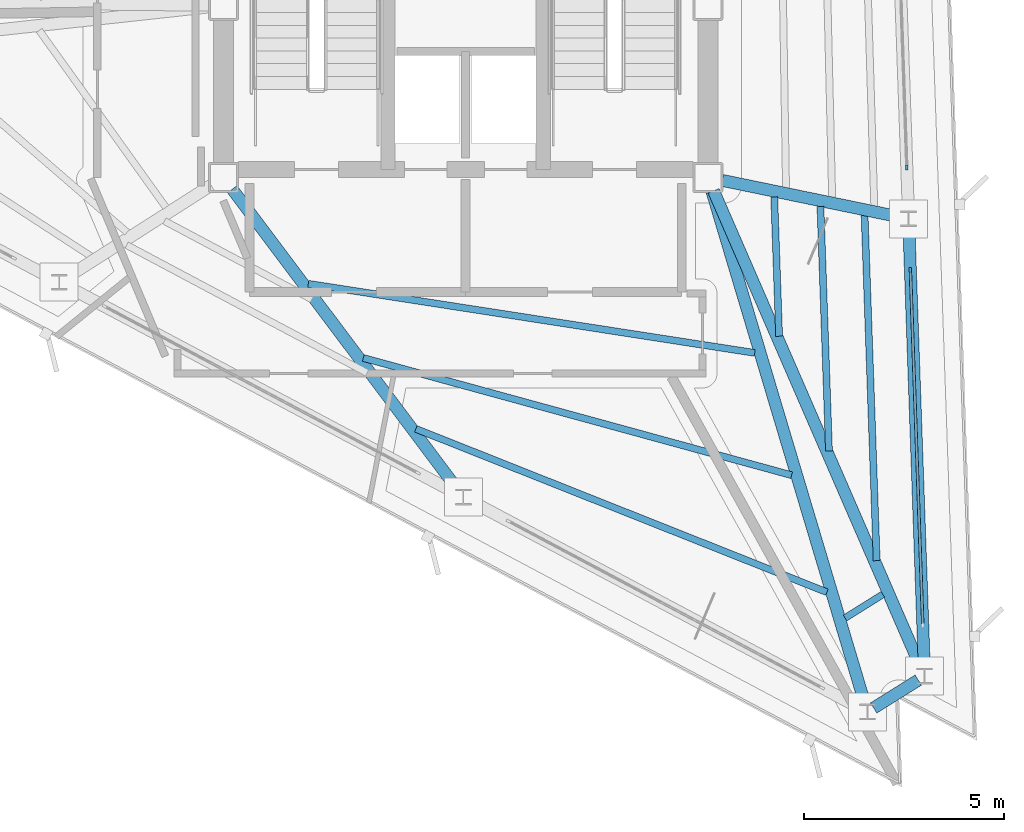
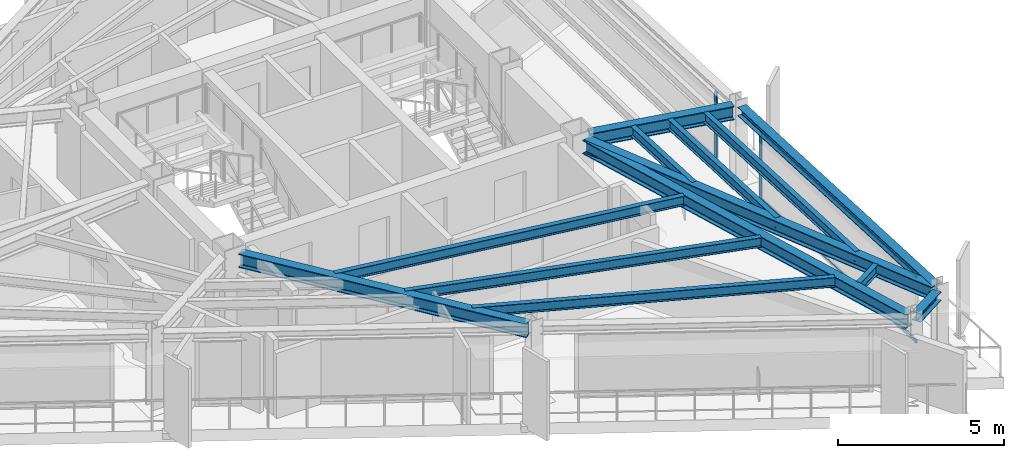
# One storey, part 3 of 13: 13 beams, 4 members, 2 elements without a shape of their own.
"""IFC4 building model written with IfcOpenShell, lengths in metres."""

from ifc_helpers import new_model, si_unit, direction, frame, origin, origin_2d, place, context, subcontext, project, spatial, rectangle, i_section, extrude, material, layer, layer_set, material_profile, profile_set, type_object, element, aggregate, save


model = new_model("IFC4")

# Units and contexts
model_context = context("Model", 3, precision=1e-05, world=origin(), true_north=direction((0.0, 1.0)))
body_context = subcontext(model_context, "Body", "Model", "MODEL_VIEW")
ifc_project = project(units=[si_unit("LENGTHUNIT", "METRE"), si_unit("AREAUNIT", "SQUARE_METRE"), si_unit("VOLUMEUNIT", "CUBIC_METRE"), si_unit("PLANEANGLEUNIT", "RADIAN"), si_unit("MASSUNIT", "GRAM", prefix="KILO")], contexts=[model_context])

# Site, building, storey
site_placement = place(None, origin())
site = spatial("IfcSite", under=ifc_project, at=site_placement, CompositionType="ELEMENT")
building_placement = place(site_placement, origin())
building = spatial("IfcBuilding", under=site, at=building_placement, Name="Rocaltana Carrier Exchange", CompositionType="ELEMENT")
storey_placement = place(building_placement, frame((0.0, 0.0, 193.60009765625)))
storey = spatial("IfcBuildingStorey", under=building, at=storey_placement, Name="L61", CompositionType="ELEMENT", Elevation=193.60009765625)

# Curtain wall, member
ifc_material_1 = material(Name="Aluminium 6063-T6", Category="aluminium")
ifc_layer = layer(ifc_material_1, 0.1201171875)
ifc_layer_set = layer_set([ifc_layer], Name="Aluminium 6063-T6")
curtain_wall_type = type_object("IfcCurtainWallType", Name="High-Altitude Thermal Curtain Wall CW-05", PredefinedType="NOTDEFINED", material=ifc_layer_set)
curtain_wall_1_placement = place(storey_placement, origin())
curtain_wall_1 = element("IfcCurtainWall", 1, at=curtain_wall_1_placement, inside=storey, type_object=curtain_wall_type, Name="L61 CW-05 Run CW-L61-F1S1", PredefinedType="NOTDEFINED")
ifc_material_2 = material(Name="Aluminium 6063-T6", Category="aluminium")
ifc_material_profile_1 = material_profile(ifc_material_2, rectangle(XDim=0.06005859375, YDim=0.1201171875, at=origin_2d()), Name="AL-60X120")
ifc_profile_set_1 = profile_set([ifc_material_profile_1], Name="Aluminium 6063-T6")
member_type_1 = type_object("IfcMemberType", Name="CW-05 Mullion AL-60X120", PredefinedType="MULLION", material=ifc_profile_set_1)
member_1_placement = place(storey_placement, frame((11.11181640625, -6.61279296875, 0.0), z_axis=(0.0, 0.0, 1.0), x_axis=(-0.999390315991, -0.034914127567, 0.0)))
member_1 = element("IfcMember", 2, at=member_1_placement, type_object=member_type_1, Name="CW-05 mullion 2", PredefinedType="MULLION", context=body_context, shape_type="SweptSolid", body=[
    extrude(rectangle(XDim=0.06005859375, YDim=0.1201171875, at=origin_2d()), origin(), (0.0, 0.0, 1.0), 2.447998046875),
])

curtain_wall_2_placement = place(storey_placement, origin())
curtain_wall_2 = element("IfcCurtainWall", 3, at=curtain_wall_2_placement, inside=storey, type_object=curtain_wall_type, Name="L61 CW-05 Run CW-L61-F1S2", PredefinedType="NOTDEFINED")
member_2_placement = place(storey_placement, frame((11.0224609375, -4.054443359375, 0.0), z_axis=(0.0, 0.0, 1.0), x_axis=(-0.999390720156, -0.034902556738, 0.0)))
member_2 = element("IfcMember", 4, at=member_2_placement, type_object=member_type_1, Name="CW-05 mullion 1", PredefinedType="MULLION", context=body_context, shape_type="SweptSolid", body=[
    extrude(rectangle(XDim=0.06005859375, YDim=0.1201171875, at=origin_2d()), origin(), (0.0, 0.0, 1.0), 2.447998046875),
])
aggregate(curtain_wall_2, [member_2])

# Member
ifc_material_3 = material(Name="Aluminium 6063-T6", Category="aluminium")
ifc_material_profile_2 = material_profile(ifc_material_3, rectangle(XDim=0.06005859375, YDim=0.1201171875, at=origin_2d()), Name="AL-60X120")
ifc_profile_set_2 = profile_set([ifc_material_profile_2], Name="Aluminium 6063-T6")
member_type_2 = type_object("IfcMemberType", Name="CW-05 Transom AL-60X120", PredefinedType="USERDEFINED", material=ifc_profile_set_2)
member_3_placement = place(storey_placement, frame((11.420654296875, -15.450927734375, 0.02978515625), z_axis=(-0.034930718371, 0.999389736246, 0.0), x_axis=(-0.999389736246, -0.034930718371, 0.0)))
member_3 = element("IfcMember", 5, at=member_3_placement, type_object=member_type_2, Name="CW-05 transom 1.1", ObjectType="TRANSOM", PredefinedType="USERDEFINED", context=body_context, shape_type="SweptSolid", body=[
    extrude(rectangle(XDim=0.06005859375, YDim=0.1201171875, at=origin_2d()), origin(), (0.0, 0.0, 1.0), 8.8134765625),
])

member_4_placement = place(storey_placement, frame((11.420654296875, -15.450927734375, 2.41796875), z_axis=(-0.034930718371, 0.999389736246, 0.0), x_axis=(-0.999389736246, -0.034930718371, 0.0)))
member_4 = element("IfcMember", 6, at=member_4_placement, type_object=member_type_2, Name="CW-05 transom 1.2", ObjectType="TRANSOM", PredefinedType="USERDEFINED", context=body_context, shape_type="SweptSolid", body=[
    extrude(rectangle(XDim=0.06005859375, YDim=0.1201171875, at=origin_2d()), origin(), (0.0, 0.0, 1.0), 8.8134765625),
])

aggregate(curtain_wall_1, [member_1, member_3, member_4])

# Beams
ifc_material_4 = material(Name="Steel S355", Category="steel")
ifc_material_profile_3 = material_profile(ifc_material_4, i_section(OverallWidth=0.172119140625, OverallDepth=0.35791015625, WebThickness=0.0078125, FlangeThickness=0.01318359375, FilletRadius=0.011962890625, at=origin_2d()), Name="W14X38")
ifc_profile_set_3 = profile_set([ifc_material_profile_3], Name="Steel S355")
beam_type_1 = type_object("IfcBeamType", Name="Floor Joist W14X38", PredefinedType="JOIST", material=ifc_profile_set_3)
beam_1_placement = place(storey_placement, frame((7.83251953125, -8.267822265625, 2.618896484375), z_axis=(-0.034956892031, 0.99938882108, 0.0), x_axis=(-0.99938882108, -0.034956892031, 0.0)))
element("IfcBeam", 7, at=beam_1_placement, inside=storey, type_object=beam_type_1, Name="FJ-L61-01-1", PredefinedType="JOIST", context=body_context, shape_type="SweptSolid", body=[
    extrude(i_section(OverallWidth=0.172119140625, OverallDepth=0.35791015625, WebThickness=0.0078125, FlangeThickness=0.01318359375, FilletRadius=0.011962890625, at=origin_2d()), origin(), (0.0, 0.0, 1.0), 3.485107421875),
])
beam_2_placement = place(storey_placement, frame((9.078125, -11.1337890625, 2.618896484375), z_axis=(-0.034895437924, 0.999390968747, 0.0), x_axis=(-0.999390968747, -0.034895437924, 0.0)))
element("IfcBeam", 8, at=beam_2_placement, inside=storey, type_object=beam_type_1, Name="FJ-L61-01-2", PredefinedType="JOIST", context=body_context, shape_type="SweptSolid", body=[
    extrude(i_section(OverallWidth=0.172119140625, OverallDepth=0.35791015625, WebThickness=0.0078125, FlangeThickness=0.01318359375, FilletRadius=0.011962890625, at=origin_2d()), origin(), (0.0, 0.0, 1.0), 6.11474609375),
])
beam_3_placement = place(storey_placement, frame((10.269775390625, -13.875, 2.618896484375), z_axis=(-0.034909498386, 0.999390477703, 0.0), x_axis=(-0.999390477703, -0.034909498386, 0.0)))
element("IfcBeam", 9, at=beam_3_placement, inside=storey, type_object=beam_type_1, Name="FJ-L61-01-3", PredefinedType="JOIST", context=body_context, shape_type="SweptSolid", body=[
    extrude(i_section(OverallWidth=0.172119140625, OverallDepth=0.35791015625, WebThickness=0.0078125, FlangeThickness=0.01318359375, FilletRadius=0.011962890625, at=origin_2d()), origin(), (0.0, 0.0, 1.0), 8.630126953125),
])
beam_4_placement = place(storey_placement, frame((-3.93017578125, -6.957275390625, 2.618896484375), z_axis=(0.98822318651, -0.153019389764, 0.0), x_axis=(0.153019389764, 0.98822318651, 0.0)))
element("IfcBeam", 10, at=beam_4_placement, inside=storey, type_object=beam_type_1, Name="FJ-L61-11-1", PredefinedType="JOIST", context=body_context, shape_type="SweptSolid", body=[
    extrude(i_section(OverallWidth=0.172119140625, OverallDepth=0.35791015625, WebThickness=0.0078125, FlangeThickness=0.01318359375, FilletRadius=0.011962890625, at=origin_2d()), origin(), (0.0, 0.0, 1.0), 11.286376953125),
])
beam_5_placement = place(storey_placement, frame((-2.555419921875, -8.809814453125, 2.618896484375), z_axis=(0.96449669157, -0.264094929808, 0.0), x_axis=(0.264094929808, 0.96449669157, 0.0)))
element("IfcBeam", 11, at=beam_5_placement, inside=storey, type_object=beam_type_1, Name="FJ-L61-11-2", PredefinedType="JOIST", context=body_context, shape_type="SweptSolid", body=[
    extrude(i_section(OverallWidth=0.172119140625, OverallDepth=0.35791015625, WebThickness=0.0078125, FlangeThickness=0.01318359375, FilletRadius=0.011962890625, at=origin_2d()), origin(), (0.0, 0.0, 1.0), 11.09326171875),
])
beam_6_placement = place(storey_placement, frame((-1.2421875, -10.581787109375, 2.618896484375), z_axis=(0.929319992712, -0.369275440756, 0.0), x_axis=(0.369275440756, 0.929319992712, 0.0)))
element("IfcBeam", 12, at=beam_6_placement, inside=storey, type_object=beam_type_1, Name="FJ-L61-11-3", PredefinedType="JOIST", context=body_context, shape_type="SweptSolid", body=[
    extrude(i_section(OverallWidth=0.172119140625, OverallDepth=0.35791015625, WebThickness=0.0078125, FlangeThickness=0.01318359375, FilletRadius=0.011962890625, at=origin_2d()), origin(), (0.0, 0.0, 1.0), 11.049560546875),
])
beam_7_placement = place(storey_placement, frame((9.481689453125, -15.306640625, 2.618896484375), z_axis=(0.847961248571, 0.530058224087, 0.0), x_axis=(-0.530058224087, 0.847961248571, 0.0)))
element("IfcBeam", 13, at=beam_7_placement, inside=storey, type_object=beam_type_1, Name="FJ-L61-12-3", PredefinedType="JOIST", context=body_context, shape_type="SweptSolid", body=[
    extrude(i_section(OverallWidth=0.172119140625, OverallDepth=0.35791015625, WebThickness=0.0078125, FlangeThickness=0.01318359375, FilletRadius=0.011962890625, at=origin_2d()), origin(), (0.0, 0.0, 1.0), 1.110595703125),
])
ifc_material_5 = material(Name="Steel S355", Category="steel")
ifc_material_profile_4 = material_profile(ifc_material_5, i_section(OverallWidth=0.300048828125, OverallDepth=0.320068359375, WebThickness=0.011474609375, FlangeThickness=0.0205078125, FilletRadius=0.027099609375, at=origin_2d()), Name="HEB320")
ifc_profile_set_4 = profile_set([ifc_material_profile_4], Name="Steel S355")
beam_type_2 = type_object("IfcBeamType", Name="Spandrel Edge Beam HEB320", PredefinedType="SPANDREL", material=ifc_profile_set_4)
beam_8_placement = place(storey_placement, frame((11.459716796875, -16.57470703125, 2.637939453125), z_axis=(-0.034891734961, 0.999391098035, 0.0), x_axis=(-0.999391098035, -0.034891734961, 0.0)))
element("IfcBeam", 14, at=beam_8_placement, inside=storey, type_object=beam_type_2, Name="SP-L61-01", PredefinedType="SPANDREL", context=body_context, shape_type="SweptSolid", body=[
    extrude(i_section(OverallWidth=0.300048828125, OverallDepth=0.320068359375, WebThickness=0.011474609375, FlangeThickness=0.0205078125, FilletRadius=0.027099609375, at=origin_2d()), origin(), (0.0, 0.0, 1.0), 11.0625),
])
beam_9_placement = place(storey_placement, frame((10.194580078125, -17.5546875, 2.637939453125), z_axis=(0.848092225117, 0.52984863659, 0.0), x_axis=(-0.52984863659, 0.848092225117, 0.0)))
element("IfcBeam", 15, at=beam_9_placement, inside=storey, type_object=beam_type_2, Name="SP-L61-12", PredefinedType="SPANDREL", context=body_context, shape_type="SweptSolid", body=[
    extrude(i_section(OverallWidth=0.300048828125, OverallDepth=0.320068359375, WebThickness=0.011474609375, FlangeThickness=0.0205078125, FilletRadius=0.027099609375, at=origin_2d()), origin(), (0.0, 0.0, 1.0), 1.314208984375),
])
ifc_material_6 = material(Name="Steel S355", Category="steel")
ifc_material_profile_5 = material_profile(ifc_material_6, i_section(OverallWidth=0.300048828125, OverallDepth=0.5, WebThickness=0.014404296875, FlangeThickness=0.028076171875, FilletRadius=0.027099609375, at=origin_2d()), Name="HEB500")
ifc_profile_set_5 = profile_set([ifc_material_profile_5], Name="Steel S355")
beam_type_3 = type_object("IfcBeamType", Name="Upper Radial Girder HEB500", PredefinedType="BEAM", material=ifc_profile_set_5)
beam_10_placement = place(storey_placement, frame((6.1962890625, -4.63671875, 2.5478515625), z_axis=(0.398663781155, -0.917097153848, 0.0), x_axis=(0.917097153848, 0.398663781155, 0.0)))
element("IfcBeam", 16, at=beam_10_placement, inside=storey, type_object=beam_type_3, Name="RG-L61-01", PredefinedType="BEAM", context=body_context, shape_type="SweptSolid", body=[
    extrude(i_section(OverallWidth=0.300048828125, OverallDepth=0.5, WebThickness=0.014404296875, FlangeThickness=0.028076171875, FilletRadius=0.027099609375, at=origin_2d()), origin(), (0.0, 0.0, 1.0), 13.03369140625),
])
beam_11_placement = place(storey_placement, frame((6.409423828125, -4.3740234375, 2.5478515625), z_axis=(0.979421650588, -0.201824751605, 0.0), x_axis=(0.201824751605, 0.979421650588, 0.0)))
element("IfcBeam", 17, at=beam_11_placement, inside=storey, type_object=beam_type_3, Name="RG-L61-02", PredefinedType="BEAM", context=body_context, shape_type="SweptSolid", body=[
    extrude(i_section(OverallWidth=0.300048828125, OverallDepth=0.5, WebThickness=0.014404296875, FlangeThickness=0.028076171875, FilletRadius=0.027099609375, at=origin_2d()), origin(), (0.0, 0.0, 1.0), 4.570068359375),
])
beam_12_placement = place(storey_placement, frame((-5.82958984375, -4.593505859375, 2.5478515625), z_axis=(0.600207072823, -0.799844653501, 0.0), x_axis=(0.799844653501, 0.600207072823, 0.0)))
element("IfcBeam", 18, at=beam_12_placement, inside=storey, type_object=beam_type_3, Name="RG-L61-11", PredefinedType="BEAM", context=body_context, shape_type="SweptSolid", body=[
    extrude(i_section(OverallWidth=0.300048828125, OverallDepth=0.5, WebThickness=0.014404296875, FlangeThickness=0.028076171875, FilletRadius=0.027099609375, at=origin_2d()), origin(), (0.0, 0.0, 1.0), 9.43115234375),
])
beam_13_placement = place(storey_placement, frame((6.155029296875, -4.651611328125, 2.5478515625), z_axis=(0.286134274896, -0.958189530693, 0.0), x_axis=(0.958189530693, 0.286134274896, 0.0)))
element("IfcBeam", 19, at=beam_13_placement, inside=storey, type_object=beam_type_3, Name="RG-L61-12", PredefinedType="BEAM", context=body_context, shape_type="SweptSolid", body=[
    extrude(i_section(OverallWidth=0.300048828125, OverallDepth=0.5, WebThickness=0.014404296875, FlangeThickness=0.028076171875, FilletRadius=0.027099609375, at=origin_2d()), origin(), (0.0, 0.0, 1.0), 13.383056640625),
])

save(model, "model.ifc")
